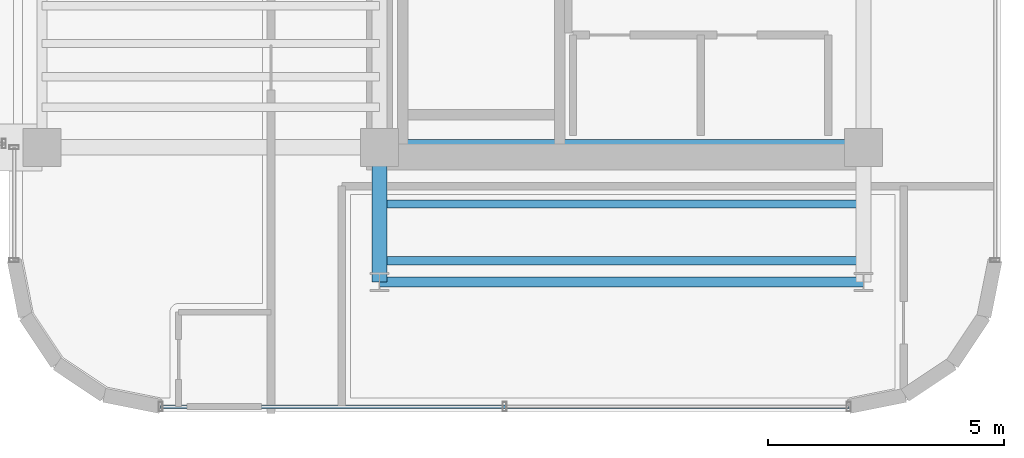
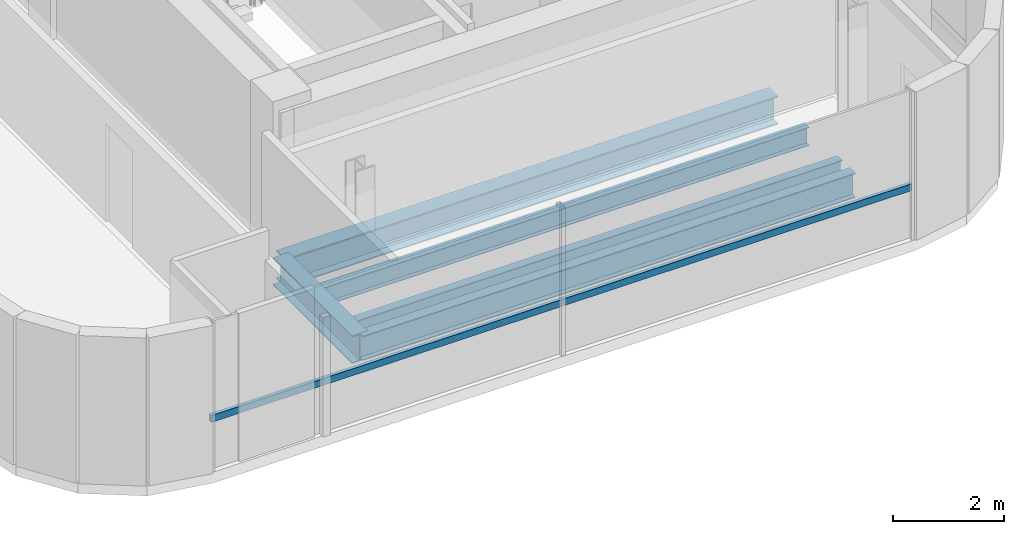
# One storey, part 3 of 19: 5 beams, 1 member, 1 element without a shape of its own.
"""IFC4 building model written with IfcOpenShell, lengths in metres."""

from ifc_helpers import new_model, si_unit, direction, frame, origin, origin_2d, place, context, subcontext, project, spatial, hollow_rectangle, i_section, extrude, source, transform, mapped, material, material_profile, profile_set, type_object, element, aggregate, save


model = new_model("IFC4")

# Units and contexts
model_context = context("Model", 3, precision=1e-05, world=origin(), true_north=direction((0.0, 1.0)))
body_context = subcontext(model_context, "Body", "Model", "MODEL_VIEW")
ifc_project = project(units=[si_unit("LENGTHUNIT", "METRE"), si_unit("AREAUNIT", "SQUARE_METRE"), si_unit("VOLUMEUNIT", "CUBIC_METRE"), si_unit("PLANEANGLEUNIT", "RADIAN"), si_unit("MASSUNIT", "GRAM", prefix="KILO")], contexts=[model_context])

# Site, building, storey
site_placement = place(None, origin())
site = spatial("IfcSite", under=ifc_project, at=site_placement, CompositionType="ELEMENT")
building_placement = place(site_placement, origin())
building = spatial("IfcBuilding", under=site, at=building_placement, Name="Valdorenza Pilgrim Sanctuary Tower", CompositionType="ELEMENT")
storey_placement = place(building_placement, frame((0.0, 0.0, 266.0)))
storey = spatial("IfcBuildingStorey", under=building, at=storey_placement, Name="L69", CompositionType="ELEMENT", Elevation=266.0)

# Beams
ifc_material_1 = material(Name="Steel ASTM A992 Grade 50", Category="steel")
ifc_material_profile_1 = material_profile(ifc_material_1, i_section(OverallWidth=0.323974609375, OverallDepth=0.611083984375, WebThickness=0.0126953125, FlangeThickness=0.01904296875, at=origin_2d()), Name="W24X104")
ifc_profile_set_1 = profile_set([ifc_material_profile_1], Name="Steel ASTM A992 Grade 50")
beam_type_1 = type_object("IfcBeamType", Name="STR-BM-GRD-W24B", PredefinedType="BEAM", material=ifc_profile_set_1)
shared_shape_1 = source(origin(), body_context, "Body", "SweptSolid", [
    extrude(i_section(OverallWidth=0.323974609375, OverallDepth=0.611083984375, WebThickness=0.0126953125, FlangeThickness=0.01904296875, at=origin_2d()), origin(), (0.0, 0.0, 1.0), 2.849853515625),
])
beam_1_placement = place(storey_placement, frame((-22.64990234375, -13.449951171875, -0.54541015625), z_axis=(0.0, 1.0, 0.0), x_axis=(-1.0, 0.0, 0.0)))
element("IfcBeam", 1, at=beam_1_placement, inside=storey, type_object=beam_type_1, Name="L69 Floor Girder WA-S-LW", PredefinedType="BEAM", context=body_context, shape_type="MappedRepresentation", body=[
    mapped(shared_shape_1, transform((0.0, 0.0, 0.0), x_axis=(1.0, 0.0, 0.0), y_axis=(0.0, 1.0, 0.0), z_axis=(0.0, 0.0, 1.0), scale=1.0)),
])
ifc_material_profile_2 = material_profile(ifc_material_1, i_section(OverallWidth=0.2109375, OverallDepth=0.5390625, WebThickness=0.01171875, FlangeThickness=0.018798828125, at=origin_2d()), Name="W21X73")
ifc_profile_set_2 = profile_set([ifc_material_profile_2], Name="Steel ASTM A992 Grade 50")
beam_type_2 = type_object("IfcBeamType", Name="STR-BM-SPN-W21B", PredefinedType="SPANDREL", material=ifc_profile_set_2)
shared_shape_2 = source(origin(), body_context, "Body", "SweptSolid", [
    extrude(i_section(OverallWidth=0.2109375, OverallDepth=0.5390625, WebThickness=0.01171875, FlangeThickness=0.018798828125, at=origin_2d()), origin(), (0.0, 0.0, 1.0), 10.25),
])
beam_2_placement = place(storey_placement, frame((-22.64990234375, -13.449951171875, -0.509521484375), z_axis=(1.0, 0.0, 0.0), x_axis=(0.0, 1.0, 0.0)))
element("IfcBeam", 2, at=beam_2_placement, inside=storey, type_object=beam_type_2, Name="L69 South Spandrel WA-S-TIE", PredefinedType="SPANDREL", context=body_context, shape_type="MappedRepresentation", body=[
    mapped(shared_shape_2, transform((0.0, 0.0, 0.0), x_axis=(1.0, 0.0, 0.0), y_axis=(0.0, 1.0, 0.0), z_axis=(0.0, 0.0, 1.0), scale=1.0)),
])
ifc_material_profile_3 = material_profile(ifc_material_1, i_section(OverallWidth=0.177978515625, OverallDepth=0.406005859375, WebThickness=0.0078125, FlangeThickness=0.0126953125, at=origin_2d()), Name="W16X40")
ifc_profile_set_3 = profile_set([ifc_material_profile_3], Name="Steel ASTM A992 Grade 50")
beam_type_3 = type_object("IfcBeamType", Name="STR-BM-JST-W16", PredefinedType="JOIST", material=ifc_profile_set_3)
shared_shape_3 = source(origin(), body_context, "Body", "SweptSolid", [
    extrude(i_section(OverallWidth=0.177978515625, OverallDepth=0.406005859375, WebThickness=0.0078125, FlangeThickness=0.0126953125, at=origin_2d()), origin(), (0.0, 0.0, 1.0), 10.25),
])
for number, where, z_axis, x_axis, name in (
    (3, (-22.64990234375, -13.0, -0.443115234375), (1.0, 0.0, 0.0), (0.0, 1.0, 0.0), "L69 Composite Floor Joist JST-WAS-1"),
    (4, (-22.64990234375, -11.800048828125, -0.443115234375), (1.0, 0.0, 0.0), (0.0, 1.0, 0.0), "L69 Composite Floor Joist JST-WAS-2"),
):
    element("IfcBeam", number, at=place(storey_placement, frame(where, z_axis=z_axis, x_axis=x_axis)), inside=storey, type_object=beam_type_3, Name=name, PredefinedType="JOIST", context=body_context, shape_type="MappedRepresentation", body=[
        mapped(shared_shape_3, transform((0.0, 0.0, 0.0), x_axis=(1.0, 0.0, 0.0), y_axis=(0.0, 1.0, 0.0), z_axis=(0.0, 0.0, 1.0), scale=1.0)),
    ])
ifc_material_profile_4 = material_profile(ifc_material_1, i_section(OverallWidth=0.326904296875, OverallDepth=0.6220703125, WebThickness=0.015380859375, FlangeThickness=0.0244140625, at=origin_2d()), Name="W24X131")
ifc_profile_set_4 = profile_set([ifc_material_profile_4], Name="Steel ASTM A992 Grade 50")
beam_type_4 = type_object("IfcBeamType", Name="STR-BM-GRD-W24A", PredefinedType="BEAM", material=ifc_profile_set_4)
shared_shape_4 = source(origin(), body_context, "Body", "SweptSolid", [
    extrude(i_section(OverallWidth=0.326904296875, OverallDepth=0.6220703125, WebThickness=0.015380859375, FlangeThickness=0.0244140625, at=origin_2d()), origin(), (0.0, 0.0, 1.0), 10.25),
])
beam_3_placement = place(storey_placement, frame((-22.64990234375, -10.60009765625, -0.551025390625), z_axis=(1.0, 0.0, 0.0), x_axis=(0.0, 1.0, 0.0)))
element("IfcBeam", 5, at=beam_3_placement, inside=storey, type_object=beam_type_4, Name="L69 Floor Girder CA-XC-S1", PredefinedType="BEAM", context=body_context, shape_type="MappedRepresentation", body=[
    mapped(shared_shape_4, transform((0.0, 0.0, 0.0), x_axis=(1.0, 0.0, 0.0), y_axis=(0.0, 1.0, 0.0), z_axis=(0.0, 0.0, 1.0), scale=1.0)),
])

# Curtain wall, member
ifc_material_2 = material(Name="Curtain-wall IGU glazing", Category="glass")
curtain_wall_type = type_object("IfcCurtainWallType", Name="CW-SYS-02", PredefinedType="NOTDEFINED", material=ifc_material_2)
curtain_wall_placement = place(storey_placement, origin())
curtain_wall = element("IfcCurtainWall", 6, at=curtain_wall_placement, inside=storey, type_object=curtain_wall_type, Name="L69 Curtain Wall CW-L69-1-26", PredefinedType="NOTDEFINED")
ifc_material_3 = material(Name="Anodised aluminium AW-6060", Category="aluminium")
ifc_material_profile_5 = material_profile(ifc_material_3, hollow_rectangle(XDim=0.074951171875, YDim=0.14990234375, WallThickness=0.00390625, at=origin_2d()), Name="ALU-T 150x75x4")
ifc_profile_set_5 = profile_set([ifc_material_profile_5], Name="Anodised aluminium AW-6060")
member_type = type_object("IfcMemberType", Name="CW-TRN-02", PredefinedType="USERDEFINED", material=ifc_profile_set_5)
shared_shape_5 = source(origin(), body_context, "Body", "SweptSolid", [
    extrude(hollow_rectangle(XDim=0.074951171875, YDim=0.14990234375, WallThickness=0.00390625, at=origin_2d()), origin(), (0.0, 0.0, 1.0), 14.57861328125),
])
member_placement = place(storey_placement, frame((-12.710693359375, -16.090087890625, 1.1201171875), z_axis=(-1.0, 0.0, 0.0), x_axis=(0.0, -1.0, 0.0)))
member = element("IfcMember", 7, at=member_placement, type_object=member_type, Name="CW-L69-1-26 Transom 1", ObjectType="TRANSOM", PredefinedType="USERDEFINED", context=body_context, shape_type="MappedRepresentation", body=[
    mapped(shared_shape_5, transform((0.0, 0.0, 0.0), x_axis=(1.0, 0.0, 0.0), y_axis=(0.0, 1.0, 0.0), z_axis=(0.0, 0.0, 1.0), scale=1.0)),
])
aggregate(curtain_wall, [member])

save(model, "model.ifc")
